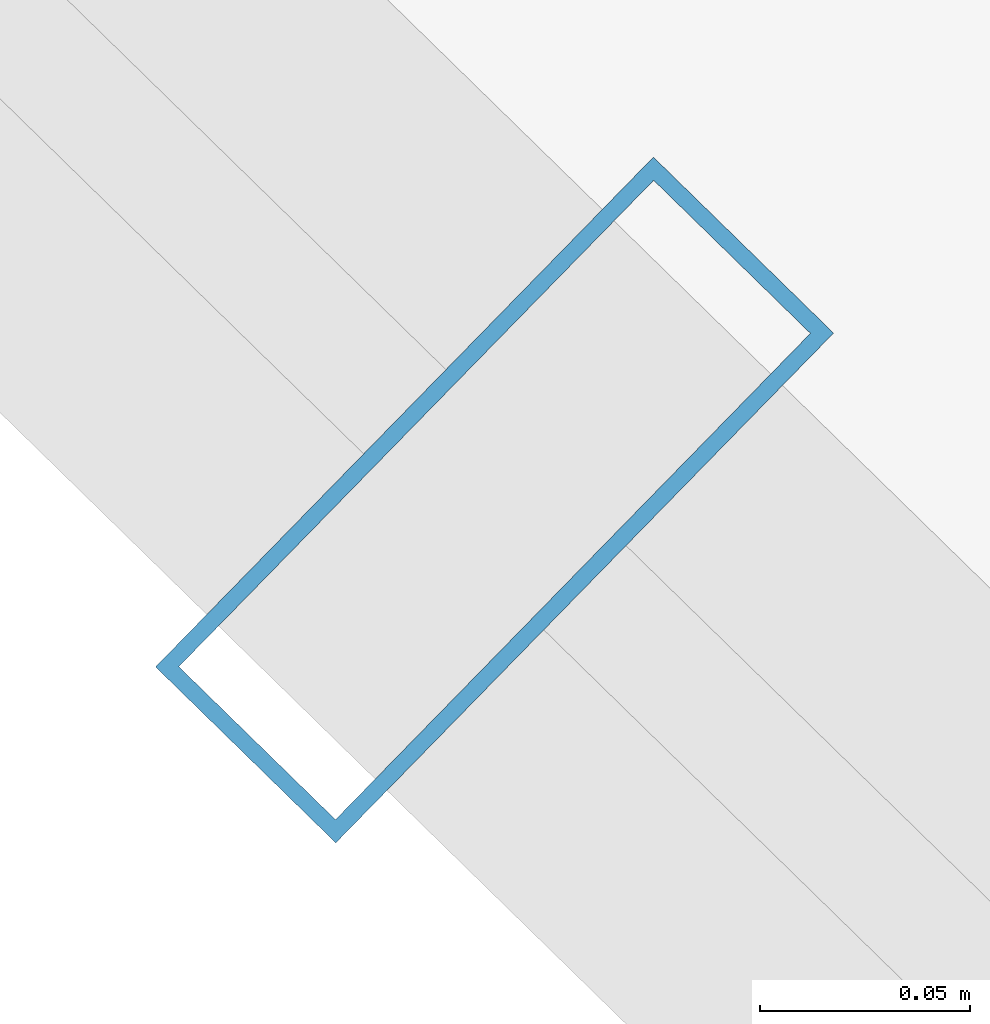
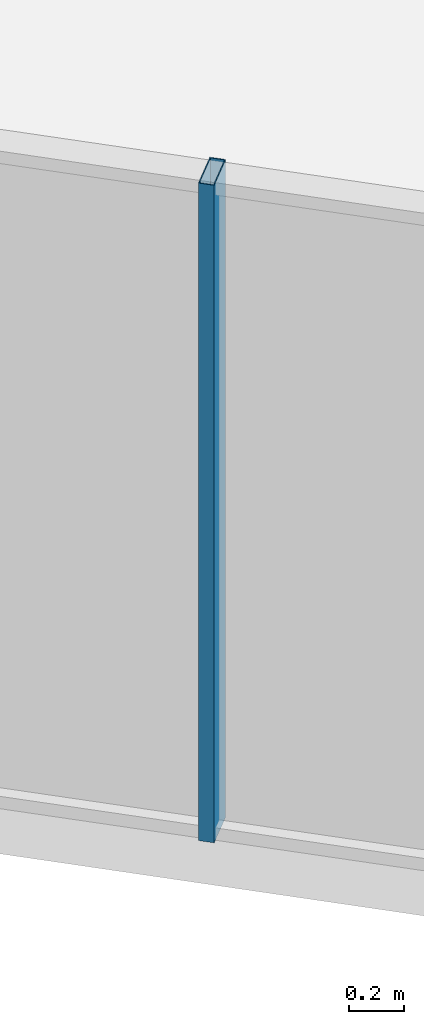
# One storey, part 2 of 39: 1 member, 1 element without a shape of its own.
"""IFC4 building model written with IfcOpenShell, lengths in metres."""

from ifc_helpers import new_model, si_unit, direction, frame, origin, origin_2d, place, context, subcontext, project, spatial, hollow_rectangle, extrude, source, transform, mapped, material, layer, layer_set, material_profile, profile_set, type_object, element, aggregate, save


model = new_model("IFC4")

# Units and contexts
model_context = context("Model", 3, precision=1e-05, world=origin(), true_north=direction((0.0, 1.0)))
body_context = subcontext(model_context, "Body", "Model", "MODEL_VIEW")
ifc_project = project(units=[si_unit("LENGTHUNIT", "METRE"), si_unit("AREAUNIT", "SQUARE_METRE"), si_unit("VOLUMEUNIT", "CUBIC_METRE"), si_unit("PLANEANGLEUNIT", "RADIAN"), si_unit("MASSUNIT", "GRAM", prefix="KILO")], contexts=[model_context])

# Site, building, storey
site_placement = place(None, origin())
site = spatial("IfcSite", under=ifc_project, at=site_placement, CompositionType="ELEMENT")
building_placement = place(site_placement, origin())
building = spatial("IfcBuilding", under=site, at=building_placement, Name="Veraguas Prism Commons", CompositionType="ELEMENT")
storey_placement = place(building_placement, frame((0.0, 0.0, 77.10009765625)))
storey = spatial("IfcBuildingStorey", under=building, at=storey_placement, Name="L21", CompositionType="ELEMENT", Elevation=77.10009765625)

# Curtain wall, member
ifc_material = material(Name="Anodised aluminium EN AW-6063 T6", Category="aluminium")
ifc_layer = layer(ifc_material, 0.169921875, Name="Unitised Flush Curtain Wall Zone 1", Category="aluminium")
ifc_layer_set = layer_set([ifc_layer], Name="Anodised aluminium EN AW-6063 T6")
curtain_wall_type = type_object("IfcCurtainWallType", Name="Unitised Flush Curtain Wall Zone 1", PredefinedType="NOTDEFINED", material=ifc_layer_set)
curtain_wall_placement = place(storey_placement, origin())
curtain_wall = element("IfcCurtainWall", 1, at=curtain_wall_placement, inside=storey, type_object=curtain_wall_type, Name="Tower Facade Curtain Wall L21-F4", PredefinedType="NOTDEFINED")
ifc_material_profile = material_profile(ifc_material, hollow_rectangle(XDim=0.06005859375, YDim=0.169921875, WallThickness=0.00390625, at=origin_2d()), Name="AL60X170X4")
ifc_profile_set = profile_set([ifc_material_profile], Name="Anodised aluminium EN AW-6063 T6")
member_type = type_object("IfcMemberType", Name="Curtain Wall Mullion Lower AL 60x170x4", PredefinedType="MULLION", material=ifc_profile_set)
shared_shape = source(origin(), body_context, "Body", "SweptSolid", [
    extrude(hollow_rectangle(XDim=0.06005859375, YDim=0.169921875, WallThickness=0.00390625, at=origin_2d()), origin(), (0.0, 0.0, 1.0), 2.929931640625),
])
member_placement = place(storey_placement, frame((9.478515625, 9.129638671875, 0.0), z_axis=(0.0, 0.0, 1.0), x_axis=(0.715448897181, -0.698665066769, 0.0)))
member = element("IfcMember", 2, at=member_placement, type_object=member_type, Name="CW-Z1 Mullion 3", PredefinedType="MULLION", context=body_context, shape_type="MappedRepresentation", body=[
    mapped(shared_shape, transform((0.0, 0.0, 0.0), scale=1.0)),
])
aggregate(curtain_wall, [member])

save(model, "model.ifc")
